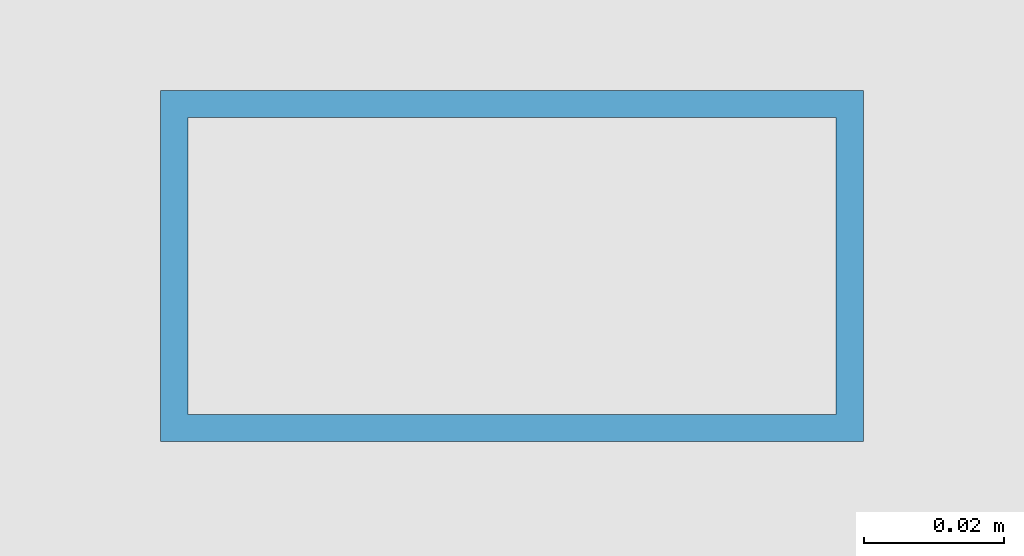
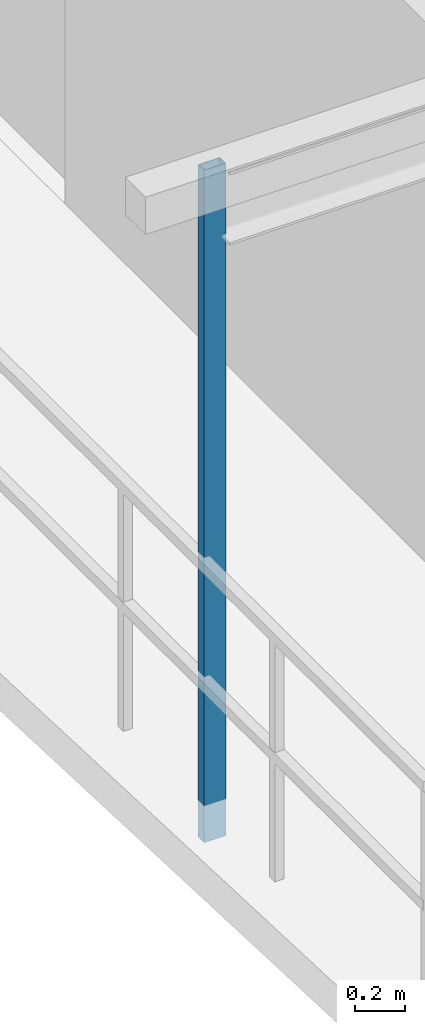
# One storey, part 3 of 18: 1 member.
"""IFC4 building model written with IfcOpenShell, lengths in metres."""

from ifc_helpers import new_model, si_unit, direction, frame, origin, origin_2d, place, context, subcontext, project, spatial, hollow_rectangle, extrude, source, transform, mapped, material, material_profile, profile_set, type_object, element, save


model = new_model("IFC4")

# Units and contexts
model_context = context("Model", 3, precision=1e-05, world=origin(), true_north=direction((0.0, 1.0)))
body_context = subcontext(model_context, "Body", "Model", "MODEL_VIEW")
ifc_project = project(units=[si_unit("LENGTHUNIT", "METRE"), si_unit("AREAUNIT", "SQUARE_METRE"), si_unit("VOLUMEUNIT", "CUBIC_METRE"), si_unit("PLANEANGLEUNIT", "RADIAN"), si_unit("MASSUNIT", "GRAM", prefix="KILO"), si_unit("THERMODYNAMICTEMPERATUREUNIT", "KELVIN"), si_unit("POWERUNIT", "WATT")], contexts=[model_context])

# Site, building, storey
site_placement = place(None, origin())
site = spatial("IfcSite", under=ifc_project, at=site_placement, CompositionType="ELEMENT")
building_placement = place(site_placement, origin())
building = spatial("IfcBuilding", under=site, at=building_placement, Name="Qiaomeng Ring Towers", CompositionType="ELEMENT")
storey_placement = place(building_placement, frame((0.0, 0.0, 179.5)))
storey = spatial("IfcBuildingStorey", under=building, at=storey_placement, Name="L52", CompositionType="ELEMENT", Elevation=179.5)

# Member
ifc_material = material(Name="Stainless steel 316", Category="steel")
ifc_material_profile = material_profile(ifc_material, hollow_rectangle(XDim=0.050048828125, YDim=0.10009765625, WallThickness=0.00390625, at=origin_2d()), Name="SS TRELLIS 100x50")
ifc_profile_set = profile_set([ifc_material_profile], Name="Stainless steel 316")
member_type = type_object("IfcMemberType", Name="ARC-TR-POST2", PredefinedType="STUD", material=ifc_profile_set)
shared_shape = source(origin(), body_context, "Body", "SweptSolid", [
    extrude(hollow_rectangle(XDim=0.050048828125, YDim=0.10009765625, WallThickness=0.00390625, at=origin_2d()), origin(), (0.0, 0.0, 1.0), 3.25),
])
member_placement = place(storey_placement, frame((-0.449951171875, 20.0, -0.179931640625), z_axis=(0.0, 0.0, 1.0), x_axis=(0.0, 1.0, 0.0)))
element("IfcMember", 1, at=member_placement, inside=storey, type_object=member_type, Name="L52 Outer Ventilated Trellis Post W", PredefinedType="STUD", context=body_context, shape_type="MappedRepresentation", body=[
    mapped(shared_shape, transform((0.0, 0.0, 0.0), x_axis=(1.0, 0.0, 0.0), y_axis=(0.0, 1.0, 0.0), z_axis=(0.0, 0.0, 1.0), scale=1.0)),
])

save(model, "model.ifc")
